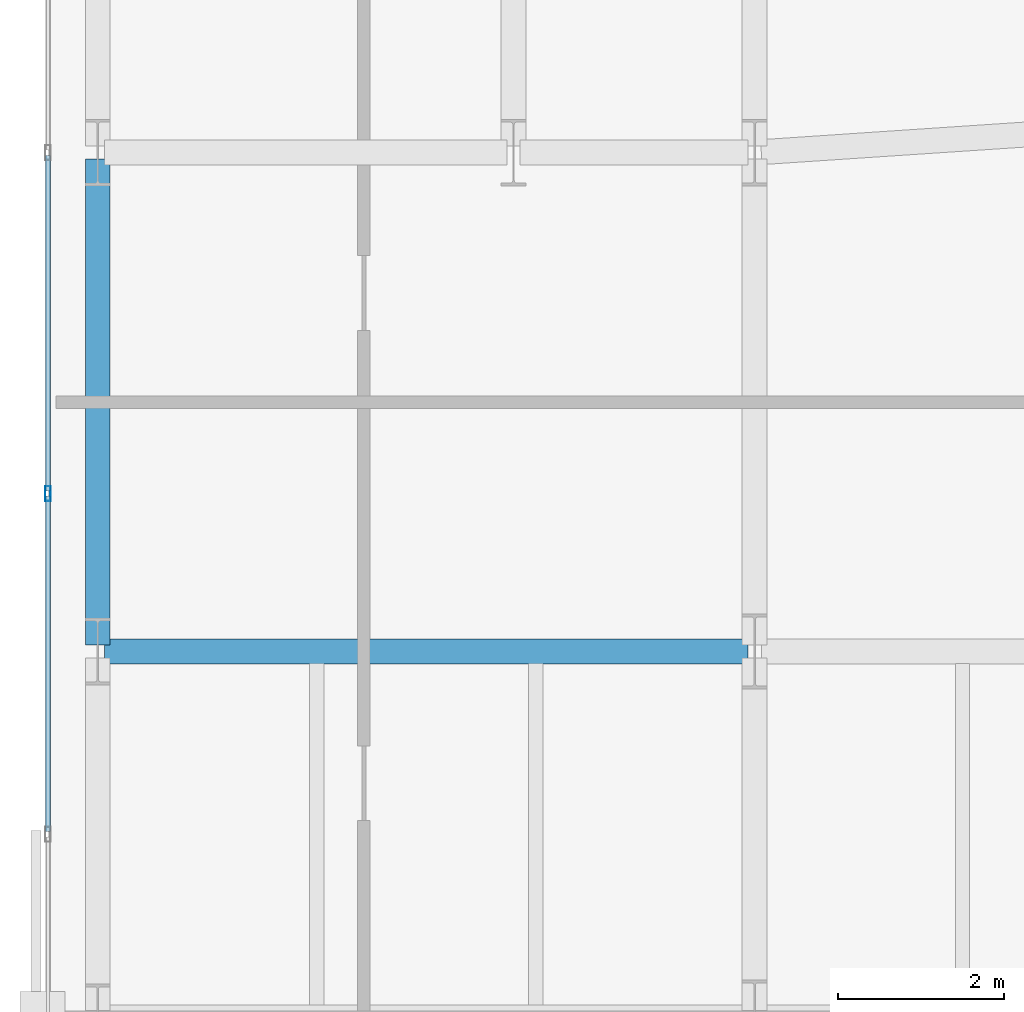
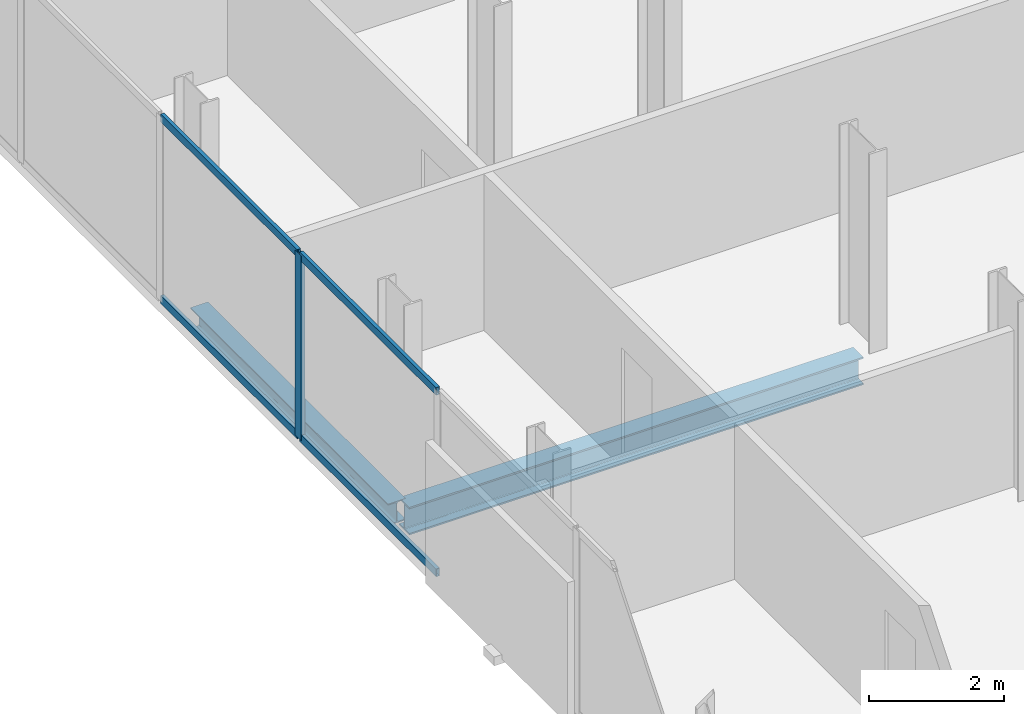
# One storey, part 9 of 33: 5 members, 2 beams, 1 element without a shape of its own.
"""IFC4 building model written with IfcOpenShell, lengths in metres."""

from ifc_helpers import new_model, si_unit, direction, frame, origin, origin_2d, place, context, subcontext, project, spatial, hollow_rectangle, i_section, extrude, material, layer, layer_set, material_profile, profile_set, type_object, element, aggregate, save


model = new_model("IFC4")

# Units and contexts
model_context = context("Model", 3, precision=1e-05, world=origin(), true_north=direction((0.0, 1.0)))
body_context = subcontext(model_context, "Body", "Model", "MODEL_VIEW")
ifc_project = project(units=[si_unit("LENGTHUNIT", "METRE"), si_unit("AREAUNIT", "SQUARE_METRE"), si_unit("VOLUMEUNIT", "CUBIC_METRE"), si_unit("PLANEANGLEUNIT", "RADIAN"), si_unit("MASSUNIT", "GRAM", prefix="KILO")], contexts=[model_context])

# Site, building, storey
site_placement = place(None, origin())
site = spatial("IfcSite", under=ifc_project, at=site_placement, CompositionType="ELEMENT")
building_placement = place(site_placement, origin())
building = spatial("IfcBuilding", under=site, at=building_placement, Name="Catumbela Crestline Tower", CompositionType="ELEMENT")
storey_placement = place(building_placement, frame((0.0, 0.0, 51.0)))
storey = spatial("IfcBuildingStorey", under=building, at=storey_placement, Name="L12", CompositionType="ELEMENT", Elevation=51.0)

# Beam
ifc_material_1 = material(Name="Structural steel S355J2", Category="steel")
ifc_material_profile_1 = material_profile(ifc_material_1, i_section(OverallWidth=0.3, OverallDepth=0.5, WebThickness=0.0145, FlangeThickness=0.028, FilletRadius=0.027, at=origin_2d()), Name="HEB 500")
ifc_profile_set_1 = profile_set([ifc_material_profile_1], Name="Structural steel S355J2")
beam_type_1 = type_object("IfcBeamType", Name="BG-HEB500", PredefinedType="BEAM", material=ifc_profile_set_1)
beam_1_placement = place(storey_placement, frame((0.68, 18.0, -0.51), z_axis=(1.0, 0.0, 0.0), x_axis=(0.0, 1.0, 0.0)))
element("IfcBeam", 1, at=beam_1_placement, inside=storey, type_object=beam_type_1, Name="L12 Beam BM-L12-WEW54", PredefinedType="BEAM", context=body_context, shape_type="SweptSolid", body=[
    extrude(i_section(OverallWidth=0.3, OverallDepth=0.5, WebThickness=0.0145, FlangeThickness=0.028, FilletRadius=0.027, at=origin_2d()), origin(), (0.0, 0.0, 1.0), 7.74),
])

# Curtain wall, member
ifc_material_2 = material(Name="Aluminium alloy AW-6060-T66", Category="aluminium")
ifc_layer = layer(ifc_material_2, 0.18, Name="Aluminium alloy AW-6060-T66")
ifc_layer_set = layer_set([ifc_layer], Name="Aluminium alloy AW-6060-T66")
curtain_wall_type = type_object("IfcCurtainWallType", Name="CWU-Z1", PredefinedType="USERDEFINED", material=ifc_layer_set)
curtain_wall_placement = place(storey_placement, origin())
curtain_wall = element("IfcCurtainWall", 2, at=curtain_wall_placement, inside=storey, type_object=curtain_wall_type, Name="L12 Unitised Curtain Wall CW-L12-E9S1", ObjectType="UNITISED", PredefinedType="USERDEFINED")
ifc_material_profile_2 = material_profile(ifc_material_2, hollow_rectangle(XDim=0.065, YDim=0.18, WallThickness=0.004, at=origin_2d()), Name="ALU 180x65x4")
ifc_profile_set_2 = profile_set([ifc_material_profile_2], Name="Aluminium alloy AW-6060-T66")
member_type_1 = type_object("IfcMemberType", Name="MUL-180X65", PredefinedType="MULLION", material=ifc_profile_set_2)
member_1_placement = place(storey_placement, frame((0.0, 19.9, 0.0), z_axis=(0.0, 0.0, 1.0), x_axis=(1.0, 0.0, 0.0)))
member_1 = element("IfcMember", 3, at=member_1_placement, type_object=member_type_1, Name="CWU-Z1 mullion 7", PredefinedType="MULLION", context=body_context, shape_type="SweptSolid", body=[
    extrude(hollow_rectangle(XDim=0.065, YDim=0.18, WallThickness=0.004, at=origin_2d()), origin(), (0.0, 0.0, 1.0), 3.33),
])

# Beam
ifc_material_profile_3 = material_profile(ifc_material_1, i_section(OverallWidth=0.3, OverallDepth=0.39, WebThickness=0.011, FlangeThickness=0.019, FilletRadius=0.027, at=origin_2d()), Name="HEA 400")
ifc_profile_set_3 = profile_set([ifc_material_profile_3], Name="Structural steel S355J2")
beam_type_2 = type_object("IfcBeamType", Name="BS-HEA400", PredefinedType="SPANDREL", material=ifc_profile_set_3)
beam_2_placement = place(storey_placement, frame((0.6, 18.08, -0.455), z_axis=(0.0, 1.0, 0.0), x_axis=(-1.0, 0.0, 0.0)))
element("IfcBeam", 4, at=beam_2_placement, inside=storey, type_object=beam_type_2, Name="L12 Spandrel SP-L12-WNS60", PredefinedType="SPANDREL", context=body_context, shape_type="SweptSolid", body=[
    extrude(i_section(OverallWidth=0.3, OverallDepth=0.39, WebThickness=0.011, FlangeThickness=0.019, FilletRadius=0.027, at=origin_2d()), origin(), (0.0, 0.0, 1.0), 5.84),
])

# Member
ifc_material_profile_4 = material_profile(ifc_material_2, hollow_rectangle(XDim=0.06, YDim=0.14, WallThickness=0.004, at=origin_2d()), Name="ALU 140x60x4")
ifc_profile_set_4 = profile_set([ifc_material_profile_4], Name="Aluminium alloy AW-6060-T66")
member_type_2 = type_object("IfcMemberType", Name="TRN-140X60", PredefinedType="USERDEFINED", material=ifc_profile_set_4)
member_2_placement = place(storey_placement, frame((0.0, 23.9675, 0.03), z_axis=(0.0, -1.0, 0.0), x_axis=(1.0, 0.0, 0.0)))
member_2 = element("IfcMember", 5, at=member_2_placement, type_object=member_type_2, Name="CWU-Z1 transom 6.1", ObjectType="TRANSOM", PredefinedType="USERDEFINED", context=body_context, shape_type="SweptSolid", body=[
    extrude(hollow_rectangle(XDim=0.06, YDim=0.14, WallThickness=0.004, at=origin_2d()), origin(), (0.0, 0.0, 1.0), 4.035),
])

member_3_placement = place(storey_placement, frame((0.0, 23.9675, 3.3), z_axis=(0.0, -1.0, 0.0), x_axis=(1.0, 0.0, 0.0)))
member_3 = element("IfcMember", 6, at=member_3_placement, type_object=member_type_2, Name="CWU-Z1 transom 6.2", ObjectType="TRANSOM", PredefinedType="USERDEFINED", context=body_context, shape_type="SweptSolid", body=[
    extrude(hollow_rectangle(XDim=0.06, YDim=0.14, WallThickness=0.004, at=origin_2d()), origin(), (0.0, 0.0, 1.0), 4.035),
])

member_4_placement = place(storey_placement, frame((0.0, 19.8675, 0.03), z_axis=(0.0, -1.0, 0.0), x_axis=(1.0, 0.0, 0.0)))
member_4 = element("IfcMember", 7, at=member_4_placement, type_object=member_type_2, Name="CWU-Z1 transom 7.1", ObjectType="TRANSOM", PredefinedType="USERDEFINED", context=body_context, shape_type="SweptSolid", body=[
    extrude(hollow_rectangle(XDim=0.06, YDim=0.14, WallThickness=0.004, at=origin_2d()), origin(), (0.0, 0.0, 1.0), 4.035),
])

member_5_placement = place(storey_placement, frame((0.0, 19.8675, 3.3), z_axis=(0.0, -1.0, 0.0), x_axis=(1.0, 0.0, 0.0)))
member_5 = element("IfcMember", 8, at=member_5_placement, type_object=member_type_2, Name="CWU-Z1 transom 7.2", ObjectType="TRANSOM", PredefinedType="USERDEFINED", context=body_context, shape_type="SweptSolid", body=[
    extrude(hollow_rectangle(XDim=0.06, YDim=0.14, WallThickness=0.004, at=origin_2d()), origin(), (0.0, 0.0, 1.0), 4.035),
])

aggregate(curtain_wall, [member_1, member_2, member_3, member_4, member_5])

save(model, "model.ifc")
